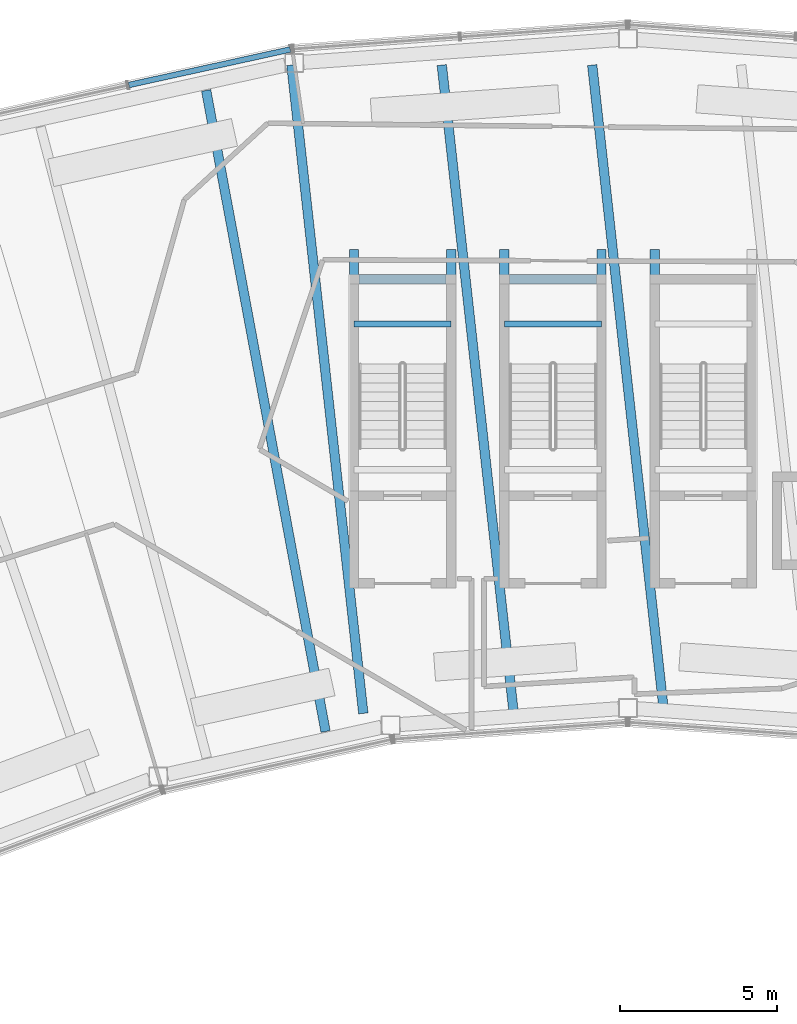
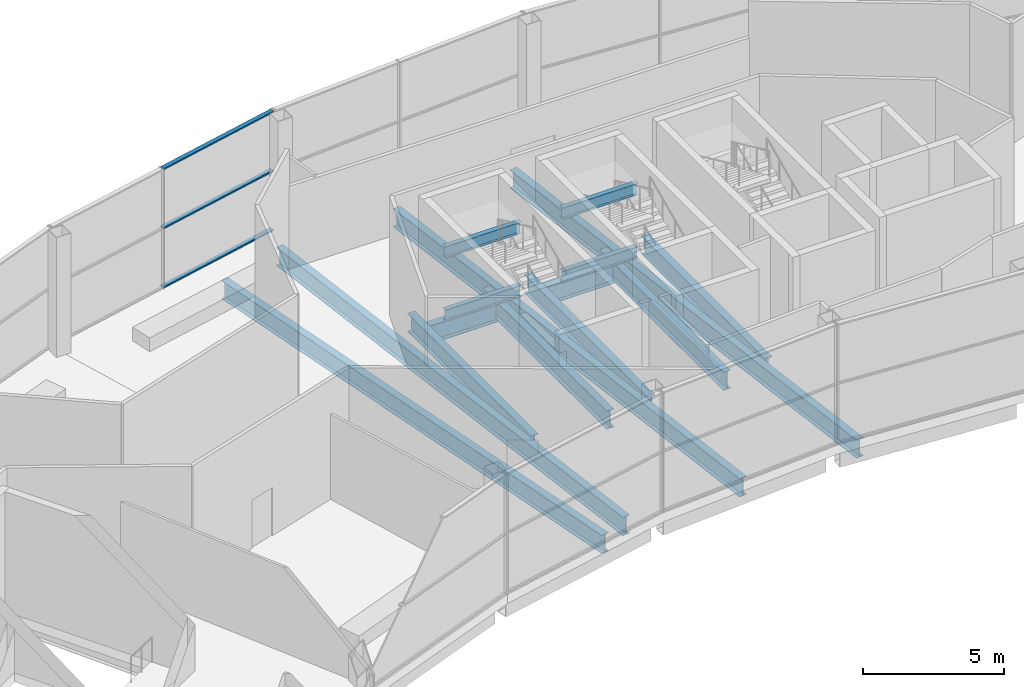
# One storey, part 17 of 44: 15 beams, 3 members, 1 element without a shape of its own.
"""IFC4 building model written with IfcOpenShell, lengths in metres."""

import ifcopenshell
import ifcopenshell.guid

model = None  # the IFC model being written
_history = None  # IfcOwnerHistory: only IFC2X3 demands one
_inside = {}  # id of a spatial element -> (the spatial element, [elements in it])
_under = {}  # id of a project, library or spatial element -> (it, [spatial elements below it])
_declared = {}  # id of a project -> (the project, [libraries it declares])
_typed = {}  # id of a type object -> (the type object, [elements of that type])
_made_of = {}  # id of a material, layer set ... -> (it, [elements and type objects made of it])


def new_model(schema):
    """Start an empty IFC model of exactly this schema.

    Asked for "IFC4X3", IfcOpenShell would pick the latest addendum, in which some entities
    have other attributes; the version numbers below select the first issue.
    IFC2X3 requires an IfcOwnerHistory on every rooted entity: one is made here for all.
    """
    global model, _history
    if schema == "IFC4X3":
        model = ifcopenshell.file(schema_version=(4, 3, 0, 0))
    else:
        model = ifcopenshell.file(schema=schema)
    _inside.clear()
    _under.clear()
    _declared.clear()
    _typed.clear()
    _made_of.clear()
    _history = None
    if model.schema == "IFC2X3":
        org = make("IfcOrganization", Name="unknown")
        user = make(
            "IfcPersonAndOrganization",
            ThePerson=make("IfcPerson", FamilyName="unknown"),
            TheOrganization=org,
        )
        app = make(
            "IfcApplication",
            ApplicationDeveloper=org,
            Version="unknown",
            ApplicationFullName="unknown",
            ApplicationIdentifier="unknown",
        )
        _history = make(
            "IfcOwnerHistory",
            OwningUser=user,
            OwningApplication=app,
            ChangeAction="ADDED",
            CreationDate=0,
        )
    return model


def make(cls, **values):
    """One entity of the class cls with the attributes given. An attribute that is None is left unset."""
    return model.create_entity(
        cls, **{name: value for name, value in values.items() if value is not None}
    )


def rooted(cls, **values):
    """An entity with a GlobalId (a new one), such as an element, a storey or a relation."""
    return make(cls, GlobalId=ifcopenshell.guid.new(), OwnerHistory=_history, **values)


def si_unit(unit_type, name, prefix=None):
    """IfcSIUnit, for example si_unit("LENGTHUNIT", "METRE", prefix="MILLI")."""
    return make("IfcSIUnit", UnitType=unit_type, Prefix=prefix, Name=name)


def assignment(units):
    """IfcUnitAssignment: the units of a project."""
    return None if units is None else make("IfcUnitAssignment", Units=units)


def point(xyz):
    """IfcCartesianPoint."""
    return None if xyz is None else make("IfcCartesianPoint", Coordinates=xyz)


def direction(xyz):
    """IfcDirection."""
    return None if xyz is None else make("IfcDirection", DirectionRatios=xyz)


def frame(location, z_axis=None, x_axis=None):
    """IfcAxis2Placement3D, a coordinate frame: its origin and axes. An axis left out is left unset."""
    return make(
        "IfcAxis2Placement3D",
        Location=point(location),
        Axis=direction(z_axis),
        RefDirection=direction(x_axis),
    )


def frame_2d(location, x_axis=None):
    """IfcAxis2Placement2D, a coordinate frame in the plane: its origin and x axis."""
    return make(
        "IfcAxis2Placement2D", Location=point(location), RefDirection=direction(x_axis)
    )


def origin():
    """The frame at (0, 0, 0) with its axes left unset."""
    return frame((0.0, 0.0, 0.0))


def origin_2d():
    """The frame at (0, 0) in the plane with its x axis left unset."""
    return frame_2d((0.0, 0.0))


def place(relative_to, where):
    """IfcLocalPlacement: puts the frame where relative to a parent placement (None: the world)."""
    return make(
        "IfcLocalPlacement", PlacementRelTo=relative_to, RelativePlacement=where
    )


def context(
    kind, dimensions, precision=None, world=None, true_north=None, identifier=None
):
    """IfcGeometricRepresentationContext, for example the 3D "Model" context."""
    return make(
        "IfcGeometricRepresentationContext",
        ContextIdentifier=identifier,
        ContextType=kind,
        CoordinateSpaceDimension=dimensions,
        Precision=precision,
        WorldCoordinateSystem=world,
        TrueNorth=true_north,
    )


def subcontext(parent, identifier, kind, view, scale=None):
    """IfcGeometricRepresentationSubContext, for example "Body" below "Model"."""
    return make(
        "IfcGeometricRepresentationSubContext",
        ContextIdentifier=identifier,
        ContextType=kind,
        ParentContext=parent,
        TargetScale=scale,
        TargetView=view,
    )


def project(units=None, contexts=None):
    """IfcProject with its units and contexts."""
    return rooted(
        "IfcProject",
        Name="project",
        RepresentationContexts=contexts,
        UnitsInContext=assignment(units),
    )


def spatial(cls, under=None, at=None, **own):
    """A site, building, storey or space (cls), placed at a placement, below another one or the project."""
    s = rooted(cls, ObjectPlacement=at, **own)
    if under is not None:
        _under.setdefault(under.id(), (under, []))[1].append(s)
    return s


def profile(cls, at=None, kind="AREA", **sizes):
    """A parametric profile (cls). Its sizes go by their IFC names, for example OverallWidth=200.0."""
    return make(cls, ProfileType=kind, Position=at, **sizes)


def hollow_rectangle(**sizes):
    """IfcRectangleHollowProfileDef."""
    return profile("IfcRectangleHollowProfileDef", **sizes)


def i_section(**sizes):
    """IfcIShapeProfileDef."""
    return profile("IfcIShapeProfileDef", **sizes)


def extrude(swept, where, along, depth):
    """IfcExtrudedAreaSolid: the profile swept, set in the frame where, extruded along a direction by depth."""
    return make(
        "IfcExtrudedAreaSolid",
        SweptArea=swept,
        Position=where,
        ExtrudedDirection=direction(along),
        Depth=depth,
    )


def shape(context_of_items, identifier, shape_type, items):
    """IfcShapeRepresentation: the items that make up one representation, for example the "Body"."""
    return make(
        "IfcShapeRepresentation",
        ContextOfItems=context_of_items,
        RepresentationIdentifier=identifier,
        RepresentationType=shape_type,
        Items=items,
    )


def material(Name=None, Category=None):
    """IfcMaterial."""
    return make("IfcMaterial", Name=Name, Category=Category)


def layer(
    of_material, thickness, ventilated=None, Name=None, Category=None, Priority=None
):
    """IfcMaterialLayer: one layer of a wall or slab, of a material (None: an air gap)."""
    return make(
        "IfcMaterialLayer",
        Material=of_material,
        LayerThickness=thickness,
        IsVentilated=ventilated,
        Name=Name,
        Category=Category,
        Priority=Priority,
    )


def layer_set(layers, Name=None):
    """IfcMaterialLayerSet."""
    return make("IfcMaterialLayerSet", MaterialLayers=layers, LayerSetName=Name)


def material_profile(
    of_material, cross_section, Name=None, Category=None, Priority=None
):
    """IfcMaterialProfile: a cross section and its material."""
    return make(
        "IfcMaterialProfile",
        Name=Name,
        Material=of_material,
        Profile=cross_section,
        Priority=Priority,
        Category=Category,
    )


def profile_set(profiles, Name=None, composite=None):
    """IfcMaterialProfileSet."""
    return make(
        "IfcMaterialProfileSet",
        Name=Name,
        MaterialProfiles=profiles,
        CompositeProfile=composite,
    )


def made_of(thing, what):
    """Note that an element or type object is made of a material, layer set ...; save() writes the relation."""
    if what is not None:
        _made_of.setdefault(what.id(), (what, []))[1].append(thing)
    return thing


def type_object(cls, material=None, **own):
    """A type object (cls), such as IfcWallType, which elements share."""
    return made_of(rooted(cls, **own), material)


def element(
    cls,
    number,
    at=None,
    inside=None,
    cuts=None,
    type_object=None,
    material=None,
    context=None,
    identifier="Body",
    shape_type=None,
    held_by="IfcProductDefinitionShape",
    body=None,
    shapes=None,
    **own,
):
    """One element of the class cls, such as IfcWall. Its Tag is "e" and its number.

    at: its placement. inside: the storey or other place that contains it. cuts: it is an
    opening in that element (IfcRelVoidsElement). A single representation is given by context,
    identifier, shape_type and body (its items); several are given by shapes. held_by: the class
    of the entity that holds the representations. save() writes the other relations.
    """
    e = rooted(cls, Tag="e%d" % number, ObjectPlacement=at, **own)
    if body is not None:
        shapes = [shape(context, identifier, shape_type, body)]
    if shapes is not None:
        e.Representation = make(held_by, Representations=shapes)
    if inside is not None:
        _inside.setdefault(inside.id(), (inside, []))[1].append(e)
    if cuts is not None:
        rooted(
            "IfcRelVoidsElement", RelatingBuildingElement=cuts, RelatedOpeningElement=e
        )
    if type_object is not None:
        _typed.setdefault(type_object.id(), (type_object, []))[1].append(e)
    return made_of(e, material)


def aggregate(whole, parts):
    """IfcRelAggregates: a whole, such as a stair, and the parts it consists of."""
    return rooted("IfcRelAggregates", RelatingObject=whole, RelatedObjects=parts)


def save(model, path):
    """Write the relations noted so far, then the file.

    IfcRelAggregates (storeys below a building ...), IfcRelContainedInSpatialStructure (elements
    in a storey), IfcRelDefinesByType, IfcRelAssociatesMaterial and IfcRelDeclares: one each for
    every whole, place, type object, material and project.
    """
    for whole, parts in _under.values():
        aggregate(whole, parts)
    for where, things in _inside.values():
        rooted(
            "IfcRelContainedInSpatialStructure",
            RelatedElements=things,
            RelatingStructure=where,
        )
    for kind, things in _typed.values():
        rooted("IfcRelDefinesByType", RelatedObjects=things, RelatingType=kind)
    for what, things in _made_of.values():
        rooted("IfcRelAssociatesMaterial", RelatedObjects=things, RelatingMaterial=what)
    for by, libraries in _declared.values():
        rooted("IfcRelDeclares", RelatingContext=by, RelatedDefinitions=libraries)
    model.write(path)


model = new_model("IFC4")

# Units and contexts
model_context = context("Model", 3, precision=1e-05, world=origin(), true_north=direction((0.0, 1.0)))
body_context = subcontext(model_context, "Body", "Model", "MODEL_VIEW")
ifc_project = project(units=[si_unit("LENGTHUNIT", "METRE"), si_unit("AREAUNIT", "SQUARE_METRE"), si_unit("VOLUMEUNIT", "CUBIC_METRE"), si_unit("PLANEANGLEUNIT", "RADIAN"), si_unit("MASSUNIT", "GRAM", prefix="KILO")], contexts=[model_context])

# Site, building, storey
site_placement = place(None, origin())
site = spatial("IfcSite", under=ifc_project, at=site_placement, CompositionType="ELEMENT")
building_placement = place(site_placement, origin())
building = spatial("IfcBuilding", under=site, at=building_placement, Name="Tuul Gate Civic Tower", CompositionType="ELEMENT")
storey_placement = place(building_placement, frame((0.0, 0.0, 354.60009765625)))
storey = spatial("IfcBuildingStorey", under=building, at=storey_placement, Name="Observation level 2", CompositionType="ELEMENT", Elevation=354.60009765625)

# Curtain wall, members
ifc_material_1 = material(Name="Stainless steel", Category="steel")
ifc_layer = layer(ifc_material_1, 0.199951171875)
ifc_layer_set = layer_set([ifc_layer], Name="Stainless steel")
curtain_wall_type = type_object("IfcCurtainWallType", Name="Curtain wall CW4", PredefinedType="NOTDEFINED", material=ifc_layer_set)
curtain_wall_placement = place(storey_placement, origin())
curtain_wall = element("IfcCurtainWall", 1, at=curtain_wall_placement, inside=storey, type_object=curtain_wall_type, Name="Curtain wall CW4", PredefinedType="NOTDEFINED")
ifc_material_2 = material(Name="Stainless steel", Category="steel")
ifc_material_profile_1 = material_profile(ifc_material_2, hollow_rectangle(XDim=0.179931640625, YDim=0.06005859375, WallThickness=0.006103515625, at=origin_2d()), Name="CW4 transom")
ifc_profile_set_1 = profile_set([ifc_material_profile_1], Name="Stainless steel")
member_type = type_object("IfcMemberType", Name="CW4 transom", PredefinedType="USERDEFINED", material=ifc_profile_set_1)
member_1_placement = place(storey_placement, frame((-8.58056640625, 13.489990234375, 0.02978515625), z_axis=(-0.976573796049, -0.215182761555, 0.0), x_axis=(0.215182761555, -0.976573796049, 0.0)))
member_1 = element("IfcMember", 2, at=member_1_placement, type_object=member_type, Name="Transom", ObjectType="TRANSOM", PredefinedType="USERDEFINED", context=body_context, shape_type="SweptSolid", body=[
    extrude(hollow_rectangle(XDim=0.179931640625, YDim=0.06005859375, WallThickness=0.006103515625, at=origin_2d()), origin(), (0.0, 0.0, 1.0), 5.281494140625),
])
member_2_placement = place(storey_placement, frame((-8.58056640625, 13.489990234375, 2.599853515625), z_axis=(-0.976573796049, -0.215182761555, 0.0), x_axis=(0.215182761555, -0.976573796049, 0.0)))
member_2 = element("IfcMember", 3, at=member_2_placement, type_object=member_type, Name="Transom", ObjectType="TRANSOM", PredefinedType="USERDEFINED", context=body_context, shape_type="SweptSolid", body=[
    extrude(hollow_rectangle(XDim=0.179931640625, YDim=0.06005859375, WallThickness=0.006103515625, at=origin_2d()), origin(), (0.0, 0.0, 1.0), 5.281494140625),
])
member_3_placement = place(storey_placement, frame((-8.58056640625, 13.489990234375, 5.169921875), z_axis=(-0.976573796049, -0.215182761555, 0.0), x_axis=(0.215182761555, -0.976573796049, 0.0)))
member_3 = element("IfcMember", 4, at=member_3_placement, type_object=member_type, Name="Transom", ObjectType="TRANSOM", PredefinedType="USERDEFINED", context=body_context, shape_type="SweptSolid", body=[
    extrude(hollow_rectangle(XDim=0.179931640625, YDim=0.06005859375, WallThickness=0.006103515625, at=origin_2d()), origin(), (0.0, 0.0, 1.0), 5.281494140625),
])
aggregate(curtain_wall, [member_1, member_2, member_3])

# Beams
ifc_material_3 = material(Name="Steel S355", Category="steel")
ifc_material_profile_2 = material_profile(ifc_material_3, i_section(OverallWidth=0.199951171875, OverallDepth=0.5, WebThickness=0.010009765625, FlangeThickness=0.01611328125, at=origin_2d()), Name="PG500x200x10x16")
ifc_profile_set_2 = profile_set([ifc_material_profile_2], Name="Steel S355")
beam_type_1 = type_object("IfcBeamType", Name="STR-FLOOR BEAM-PG500x200x10x16", PredefinedType="BEAM", material=ifc_profile_set_2)
for number, where, z_axis, x_axis, name in (
    (5, (-6.550048828125, 4.72509765625, 0.9248046875), (1.0, 0.0, 0.0), (0.0, 1.0, 0.0), "Landing support beam"),
    (6, (-6.550048828125, 4.72509765625, 3.6748046875), (1.0, 0.0, 0.0), (0.0, 1.0, 0.0), "Landing support beam"),
    (7, (-1.75, 4.72509765625, 0.9248046875), (1.0, 0.0, 0.0), (0.0, 1.0, 0.0), "Landing support beam"),
    (8, (-1.75, 4.72509765625, 3.6748046875), (1.0, 0.0, 0.0), (0.0, 1.0, 0.0), "Landing support beam"),
):
    element("IfcBeam", number, at=place(storey_placement, frame(where, z_axis=z_axis, x_axis=x_axis)), inside=storey, type_object=beam_type_1, Name=name, PredefinedType="BEAM", context=body_context, shape_type="SweptSolid", body=[
        extrude(i_section(OverallWidth=0.199951171875, OverallDepth=0.5, WebThickness=0.010009765625, FlangeThickness=0.01611328125, at=origin_2d()), origin(), (0.0, 0.0, 1.0), 3.10009765625),
    ])
ifc_material_4 = material(Name="Steel S355", Category="steel")
ifc_material_profile_3 = material_profile(ifc_material_4, i_section(OverallWidth=0.300048828125, OverallDepth=0.800048828125, WebThickness=0.013916015625, FlangeThickness=0.02490234375, at=origin_2d()), Name="PG800x300x14x25")
ifc_profile_set_3 = profile_set([ifc_material_profile_3], Name="Steel S355")
beam_type_2 = type_object("IfcBeamType", Name="STR-FLOOR BEAM-PG800x300x14x25", PredefinedType="BEAM", material=ifc_profile_set_3)
beam_1_placement = place(storey_placement, frame((-7.45654296875, -8.2783203125, -0.800048828125), z_axis=(-0.183138116697, 0.983087193596, 0.0), x_axis=(-0.983087193596, -0.183138116697, 0.0)))
element("IfcBeam", 9, at=beam_1_placement, inside=storey, type_object=beam_type_2, Name="Floor beam", PredefinedType="BEAM", context=body_context, shape_type="SweptSolid", body=[
    extrude(i_section(OverallWidth=0.300048828125, OverallDepth=0.800048828125, WebThickness=0.013916015625, FlangeThickness=0.02490234375, at=origin_2d()), origin(), (0.0, 0.0, 1.0), 20.81103515625),
])
for number, where, z_axis, x_axis, name in (
    (10, (-6.252197265625, -7.69873046875, -0.800048828125), (-0.110286058964, 0.993899886909, 0.0), (-0.993899886909, -0.110286058964, 0.0), "Floor beam"),
    (11, (-1.4521484375, -7.69873046875, -0.800048828125), (-0.110286058964, 0.993899886909, 0.0), (-0.993899886909, -0.110286058964, 0.0), "Floor beam"),
    (12, (3.347900390625, -7.69873046875, -0.800048828125), (-0.110286058964, 0.993899886909, 0.0), (-0.993899886909, -0.110286058964, 0.0), "Floor beam"),
):
    element("IfcBeam", number, at=place(storey_placement, frame(where, z_axis=z_axis, x_axis=x_axis)), inside=storey, type_object=beam_type_2, Name=name, PredefinedType="BEAM", context=body_context, shape_type="SweptSolid", body=[
        extrude(i_section(OverallWidth=0.300048828125, OverallDepth=0.800048828125, WebThickness=0.013916015625, FlangeThickness=0.02490234375, at=origin_2d()), origin(), (0.0, 0.0, 1.0), 20.8154296875),
    ])
for number, where, z_axis, x_axis, name in (
    (13, (-3.449951171875, -1.699951171875, -0.800048828125), (0.0, 1.0, 0.0), (-1.0, 0.0, 0.0), "Floor beam"),
    (14, (-6.550048828125, -1.699951171875, -0.800048828125), (0.0, 1.0, 0.0), (-1.0, 0.0, 0.0), "Floor beam"),
):
    element("IfcBeam", number, at=place(storey_placement, frame(where, z_axis=z_axis, x_axis=x_axis)), inside=storey, type_object=beam_type_2, Name=name, PredefinedType="BEAM", context=body_context, shape_type="SweptSolid", body=[
        extrude(i_section(OverallWidth=0.300048828125, OverallDepth=0.800048828125, WebThickness=0.013916015625, FlangeThickness=0.02490234375, at=origin_2d()), origin(), (0.0, 0.0, 1.0), 8.800048828125),
    ])
beam_2_placement = place(storey_placement, frame((-6.389892578125, 6.14990234375, -0.800048828125), z_axis=(1.0, 0.0, 0.0), x_axis=(0.0, 1.0, 0.0)))
element("IfcBeam", 15, at=beam_2_placement, inside=storey, type_object=beam_type_2, Name="Floor beam", PredefinedType="BEAM", context=body_context, shape_type="SweptSolid", body=[
    extrude(i_section(OverallWidth=0.300048828125, OverallDepth=0.800048828125, WebThickness=0.013916015625, FlangeThickness=0.02490234375, at=origin_2d()), origin(), (0.0, 0.0, 1.0), 2.77978515625),
])
for number, where, z_axis, x_axis, name in (
    (16, (1.35009765625, -1.699951171875, -0.800048828125), (0.0, 1.0, 0.0), (-1.0, 0.0, 0.0), "Floor beam"),
    (17, (-1.75, -1.699951171875, -0.800048828125), (0.0, 1.0, 0.0), (-1.0, 0.0, 0.0), "Floor beam"),
):
    element("IfcBeam", number, at=place(storey_placement, frame(where, z_axis=z_axis, x_axis=x_axis)), inside=storey, type_object=beam_type_2, Name=name, PredefinedType="BEAM", context=body_context, shape_type="SweptSolid", body=[
        extrude(i_section(OverallWidth=0.300048828125, OverallDepth=0.800048828125, WebThickness=0.013916015625, FlangeThickness=0.02490234375, at=origin_2d()), origin(), (0.0, 0.0, 1.0), 8.800048828125),
    ])
beam_3_placement = place(storey_placement, frame((-1.590087890625, 6.14990234375, -0.800048828125), z_axis=(1.0, 0.0, 0.0), x_axis=(0.0, 1.0, 0.0)))
element("IfcBeam", 18, at=beam_3_placement, inside=storey, type_object=beam_type_2, Name="Floor beam", PredefinedType="BEAM", context=body_context, shape_type="SweptSolid", body=[
    extrude(i_section(OverallWidth=0.300048828125, OverallDepth=0.800048828125, WebThickness=0.013916015625, FlangeThickness=0.02490234375, at=origin_2d()), origin(), (0.0, 0.0, 1.0), 2.780029296875),
])
beam_4_placement = place(storey_placement, frame((3.050048828125, -1.699951171875, -0.800048828125), z_axis=(0.0, 1.0, 0.0), x_axis=(-1.0, 0.0, 0.0)))
element("IfcBeam", 19, at=beam_4_placement, inside=storey, type_object=beam_type_2, Name="Floor beam", PredefinedType="BEAM", context=body_context, shape_type="SweptSolid", body=[
    extrude(i_section(OverallWidth=0.300048828125, OverallDepth=0.800048828125, WebThickness=0.013916015625, FlangeThickness=0.02490234375, at=origin_2d()), origin(), (0.0, 0.0, 1.0), 8.800048828125),
])

save(model, "model.ifc")
